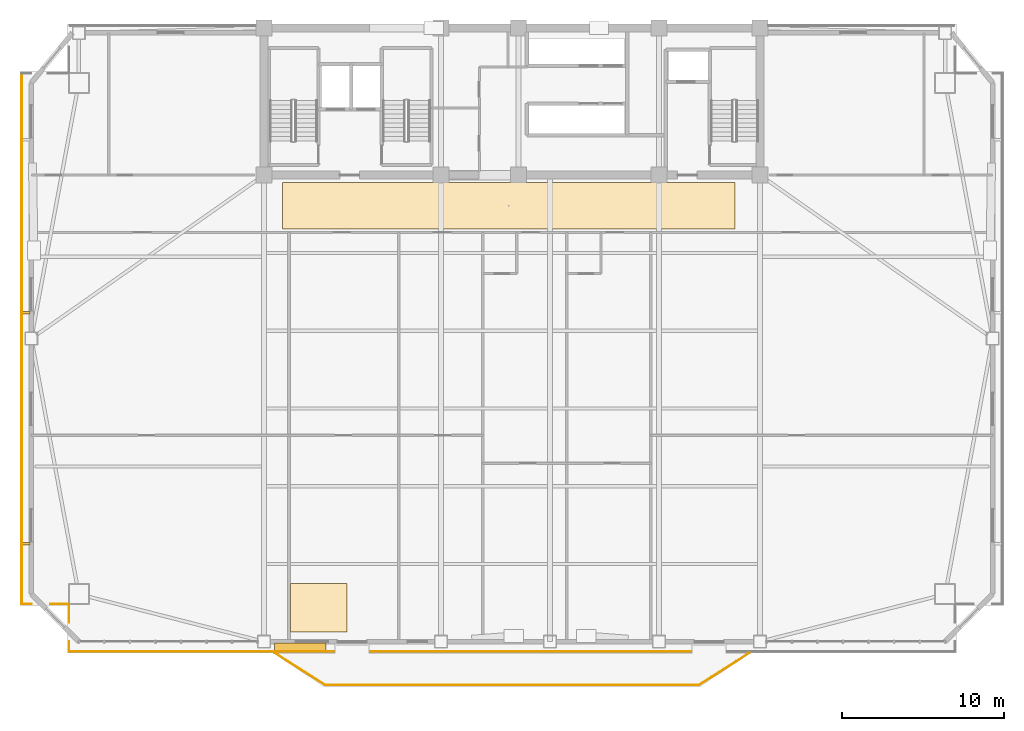
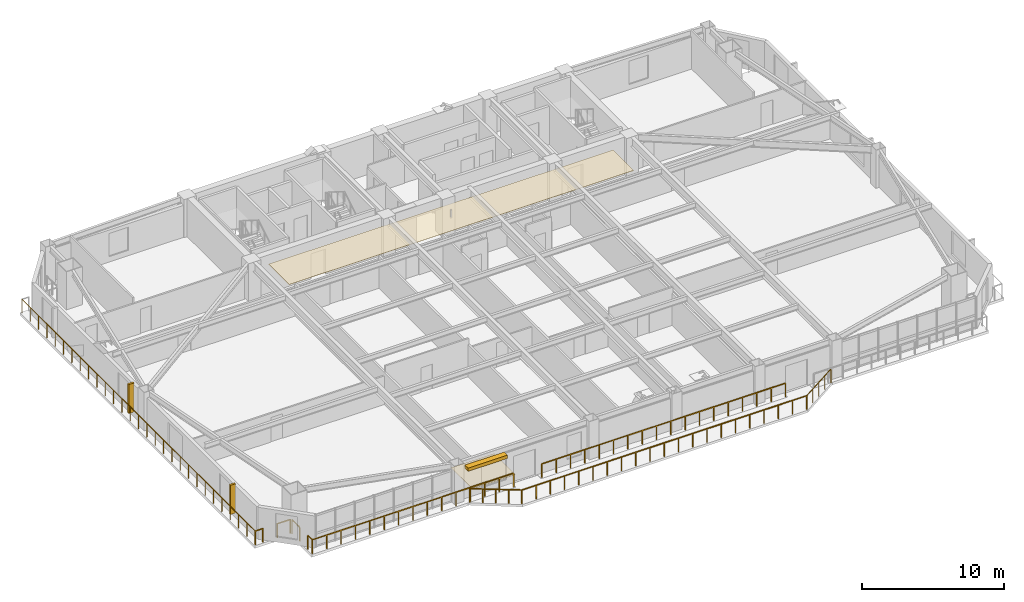
# One storey, part 12 of 15: 10 railings, 3 shading devices, 2 coverings.
"""IFC4 building model written with IfcOpenShell, lengths in metres."""

from ifc_helpers import new_model, si_unit, direction, frame, origin, origin_2d, place, context, subcontext, project, spatial, polyline, rectangle, outline, extrude, source, transform, mapped, material, layer, layer_set, type_object, element, save


model = new_model("IFC4")

# Units and contexts
model_context = context("Model", 3, precision=1e-05, world=origin(), true_north=direction((0.0, 1.0)))
body_context = subcontext(model_context, "Body", "Model", "MODEL_VIEW")
ifc_project = project(units=[si_unit("LENGTHUNIT", "METRE"), si_unit("AREAUNIT", "SQUARE_METRE"), si_unit("VOLUMEUNIT", "CUBIC_METRE"), si_unit("PLANEANGLEUNIT", "RADIAN"), si_unit("MASSUNIT", "GRAM", prefix="KILO")], contexts=[model_context])

# Site, building, storey
site_placement = place(None, origin())
site = spatial("IfcSite", under=ifc_project, at=site_placement, CompositionType="ELEMENT")
building_placement = place(site_placement, origin())
building = spatial("IfcBuilding", under=site, at=building_placement, Name="Giltprow Tower", CompositionType="ELEMENT")
storey_placement = place(building_placement, frame((0.0, 0.0, 152.699951171875)))
storey = spatial("IfcBuildingStorey", under=building, at=storey_placement, Name="L37", CompositionType="ELEMENT", Elevation=152.699951171875)

# Coverings
ifc_material_1 = material(Name="Painted gypsum board", Category="gypsum")
ifc_layer_1 = layer(ifc_material_1, 0.030029296875, Name="Painted gypsum board")
ifc_layer_set_1 = layer_set([ifc_layer_1], Name="Painted gypsum board")
covering_type_1 = type_object("IfcCoveringType", Name="COV-CLG-GYPSUM", PredefinedType="CEILING", material=ifc_layer_set_1)
covering_1_placement = place(storey_placement, frame((0.0, 0.0, 2.6201171875)))
element("IfcCovering", 1, at=covering_1_placement, inside=storey, type_object=covering_type_1, Name="L37 Hotel Corridor Gypsum Ceiling", PredefinedType="CEILING", context=body_context, shape_type="SweptSolid", body=[
    extrude(outline(polyline([(21.0, 34.10009765625), (49.0, 34.10009765625), (49.0, 37.0), (21.0, 37.0), (21.0, 34.10009765625)])), origin(), (0.0, 0.0, 1.0), 0.030029296875),
])
ifc_material_2 = material(Name="Engineered oak", Category="wood")
ifc_layer_2 = layer(ifc_material_2, 0.02490234375, Name="Engineered oak")
ifc_layer_set_2 = layer_set([ifc_layer_2], Name="Engineered oak")
covering_type_2 = type_object("IfcCoveringType", Name="COV-FLR-TIMBER", PredefinedType="FLOORING", material=ifc_layer_set_2)
covering_2_placement = place(storey_placement, origin())
element("IfcCovering", 2, at=covering_2_placement, inside=storey, type_object=covering_type_2, Name="L37 Engineered Oak Guestroom Flooring", PredefinedType="FLOORING", context=body_context, shape_type="SweptSolid", body=[
    extrude(outline(polyline([(21.5, 9.172119140625), (25.0, 9.172119140625), (25.0, 12.172119140625), (21.5, 12.172119140625), (21.5, 9.172119140625)])), origin(), (0.0, 0.0, 1.0), 0.025146484375),
])

# Railings
ifc_material_3 = material(Name="Anodized bronze", Category="metal")
railing_type = type_object("IfcRailingType", Name="RAIL-BALC-GUARD-1200", PredefinedType="BALUSTRADE", material=ifc_material_3)
railing_1_placement = place(storey_placement, frame((20.52001953125, 7.8720703125, 0.0)))
element("IfcRailing", 3, at=railing_1_placement, inside=storey, type_object=railing_type, Name="L37 Waterfront Balcony Balustrade Seg 1", PredefinedType="BALUSTRADE", context=body_context, shape_type="SweptSolid", body=[
    extrude(rectangle(XDim=0.048095703125, YDim=0.048095703125, at=origin_2d()), frame((0.0, 0.0, 1.17578125), z_axis=(0.84277487735, -0.538266203757, 0.0), x_axis=(0.538266203757, 0.84277487735, 0.0)), (0.0, 0.0, 1.0), 3.678466796875),
    extrude(rectangle(XDim=0.0419921875, YDim=0.0419921875, at=origin_2d()), origin(), (0.0, 0.0, 1.0), 1.15185546875),
    extrude(rectangle(XDim=0.0419921875, YDim=0.0419921875, at=origin_2d()), frame((0.77490234375, -0.4951171875, 0.0)), (0.0, 0.0, 1.0), 1.15185546875),
    extrude(rectangle(XDim=0.0419921875, YDim=0.0419921875, at=origin_2d()), frame((1.550048828125, -0.989990234375, 0.0)), (0.0, 0.0, 1.0), 1.15185546875),
    extrude(rectangle(XDim=0.0419921875, YDim=0.0419921875, at=origin_2d()), frame((2.3251953125, -1.48486328125, 0.0)), (0.0, 0.0, 1.0), 1.15185546875),
    extrude(rectangle(XDim=0.0419921875, YDim=0.0419921875, at=origin_2d()), frame((3.10009765625, -1.97998046875, 0.0)), (0.0, 0.0, 1.0), 1.15185546875),
])
railing_2_placement = place(storey_placement, frame((23.6201171875, 5.89208984375, 0.0)))
element("IfcRailing", 4, at=railing_2_placement, inside=storey, type_object=railing_type, Name="L37 Waterfront Balcony Balustrade Seg 2", PredefinedType="BALUSTRADE", context=body_context, shape_type="SweptSolid", body=[
    extrude(rectangle(XDim=0.048095703125, YDim=0.048095703125, at=origin_2d()), frame((0.0, 0.0, 1.17578125), z_axis=(1.0, 0.0, 0.0), x_axis=(0.0, 1.0, 0.0)), (0.0, 0.0, 1.0), 23.159912109375),
    extrude(rectangle(XDim=0.0419921875, YDim=0.0419921875, at=origin_2d()), origin(), (0.0, 0.0, 1.0), 1.15185546875),
    extrude(rectangle(XDim=0.0419921875, YDim=0.0419921875, at=origin_2d()), frame((1.157958984375, 0.0, 0.0)), (0.0, 0.0, 1.0), 1.15185546875),
    extrude(rectangle(XDim=0.0419921875, YDim=0.0419921875, at=origin_2d()), frame((2.31591796875, 0.0, 0.0)), (0.0, 0.0, 1.0), 1.15185546875),
    extrude(rectangle(XDim=0.0419921875, YDim=0.0419921875, at=origin_2d()), frame((3.473876953125, 0.0, 0.0)), (0.0, 0.0, 1.0), 1.15185546875),
    extrude(rectangle(XDim=0.0419921875, YDim=0.0419921875, at=origin_2d()), frame((4.632080078125, 0.0, 0.0)), (0.0, 0.0, 1.0), 1.15185546875),
    extrude(rectangle(XDim=0.0419921875, YDim=0.0419921875, at=origin_2d()), frame((5.7900390625, 0.0, 0.0)), (0.0, 0.0, 1.0), 1.15185546875),
    extrude(rectangle(XDim=0.0419921875, YDim=0.0419921875, at=origin_2d()), frame((6.947998046875, 0.0, 0.0)), (0.0, 0.0, 1.0), 1.15185546875),
    extrude(rectangle(XDim=0.0419921875, YDim=0.0419921875, at=origin_2d()), frame((8.10595703125, 0.0, 0.0)), (0.0, 0.0, 1.0), 1.15185546875),
    extrude(rectangle(XDim=0.0419921875, YDim=0.0419921875, at=origin_2d()), frame((9.263916015625, 0.0, 0.0)), (0.0, 0.0, 1.0), 1.15185546875),
    extrude(rectangle(XDim=0.0419921875, YDim=0.0419921875, at=origin_2d()), frame((10.421875, 0.0, 0.0)), (0.0, 0.0, 1.0), 1.15185546875),
    extrude(rectangle(XDim=0.0419921875, YDim=0.0419921875, at=origin_2d()), frame((11.580078125, 0.0, 0.0)), (0.0, 0.0, 1.0), 1.15185546875),
    extrude(rectangle(XDim=0.0419921875, YDim=0.0419921875, at=origin_2d()), frame((12.738037109375, 0.0, 0.0)), (0.0, 0.0, 1.0), 1.15185546875),
    extrude(rectangle(XDim=0.0419921875, YDim=0.0419921875, at=origin_2d()), frame((13.89599609375, 0.0, 0.0)), (0.0, 0.0, 1.0), 1.15185546875),
    extrude(rectangle(XDim=0.0419921875, YDim=0.0419921875, at=origin_2d()), frame((15.053955078125, 0.0, 0.0)), (0.0, 0.0, 1.0), 1.15185546875),
    extrude(rectangle(XDim=0.0419921875, YDim=0.0419921875, at=origin_2d()), frame((16.2119140625, 0.0, 0.0)), (0.0, 0.0, 1.0), 1.15185546875),
    extrude(rectangle(XDim=0.0419921875, YDim=0.0419921875, at=origin_2d()), frame((17.369873046875, 0.0, 0.0)), (0.0, 0.0, 1.0), 1.15185546875),
    extrude(rectangle(XDim=0.0419921875, YDim=0.0419921875, at=origin_2d()), frame((18.52783203125, 0.0, 0.0)), (0.0, 0.0, 1.0), 1.15185546875),
    extrude(rectangle(XDim=0.0419921875, YDim=0.0419921875, at=origin_2d()), frame((19.68603515625, 0.0, 0.0)), (0.0, 0.0, 1.0), 1.15185546875),
    extrude(rectangle(XDim=0.0419921875, YDim=0.0419921875, at=origin_2d()), frame((20.843994140625, 0.0, 0.0)), (0.0, 0.0, 1.0), 1.15185546875),
    extrude(rectangle(XDim=0.0419921875, YDim=0.0419921875, at=origin_2d()), frame((22.001953125, 0.0, 0.0)), (0.0, 0.0, 1.0), 1.15185546875),
    extrude(rectangle(XDim=0.0419921875, YDim=0.0419921875, at=origin_2d()), frame((23.159912109375, 0.0, 0.0)), (0.0, 0.0, 1.0), 1.15185546875),
])
railing_3_placement = place(storey_placement, frame((46.780029296875, 5.89208984375, 0.0)))
element("IfcRailing", 5, at=railing_3_placement, inside=storey, type_object=railing_type, Name="L37 Waterfront Balcony Balustrade Seg 3", PredefinedType="BALUSTRADE", context=body_context, shape_type="SweptSolid", body=[
    extrude(rectangle(XDim=0.048095703125, YDim=0.048095703125, at=origin_2d()), frame((0.0, 0.0, 1.17578125), z_axis=(0.842755646126, 0.538296313309, 0.0), x_axis=(-0.538296313309, 0.842755646126, 0.0)), (0.0, 0.0, 1.0), 3.67822265625),
    extrude(rectangle(XDim=0.0419921875, YDim=0.0419921875, at=origin_2d()), origin(), (0.0, 0.0, 1.0), 1.15185546875),
    extrude(rectangle(XDim=0.0419921875, YDim=0.0419921875, at=origin_2d()), frame((0.77490234375, 0.4951171875, 0.0)), (0.0, 0.0, 1.0), 1.15185546875),
    extrude(rectangle(XDim=0.0419921875, YDim=0.0419921875, at=origin_2d()), frame((1.5498046875, 0.989990234375, 0.0)), (0.0, 0.0, 1.0), 1.15185546875),
    extrude(rectangle(XDim=0.0419921875, YDim=0.0419921875, at=origin_2d()), frame((2.324951171875, 1.48486328125, 0.0)), (0.0, 0.0, 1.0), 1.15185546875),
    extrude(rectangle(XDim=0.0419921875, YDim=0.0419921875, at=origin_2d()), frame((3.099853515625, 1.97998046875, 0.0)), (0.0, 0.0, 1.0), 1.15185546875),
])
railing_4_placement = place(storey_placement, frame((7.7880859375, 7.971923828125, 0.0)))
element("IfcRailing", 6, at=railing_4_placement, inside=storey, type_object=railing_type, Name="L37 Corner Apron Edge Balustrade 1", PredefinedType="BALUSTRADE", context=body_context, shape_type="SweptSolid", body=[
    extrude(rectangle(XDim=0.048095703125, YDim=0.048095703125, at=origin_2d()), frame((0.0, 0.0, 1.17578125), z_axis=(0.0, 1.0, 0.0), x_axis=(-1.0, 0.0, 0.0)), (0.0, 0.0, 1.0), 0.6201171875),
    extrude(rectangle(XDim=0.0419921875, YDim=0.0419921875, at=origin_2d()), origin(), (0.0, 0.0, 1.0), 1.15185546875),
    extrude(rectangle(XDim=0.0419921875, YDim=0.0419921875, at=origin_2d()), frame((0.0, 0.6201171875, 0.0)), (0.0, 0.0, 1.0), 1.15185546875),
])
railing_5_placement = place(storey_placement, frame((7.7880859375, 9.751953125, 0.0)))
element("IfcRailing", 7, at=railing_5_placement, inside=storey, type_object=railing_type, Name="L37 Corner Apron Edge Balustrade 2", PredefinedType="BALUSTRADE", context=body_context, shape_type="SweptSolid", body=[
    extrude(rectangle(XDim=0.048095703125, YDim=0.048095703125, at=origin_2d()), frame((0.0, 0.0, 1.17578125), z_axis=(0.0, 1.0, 0.0), x_axis=(-1.0, 0.0, 0.0)), (0.0, 0.0, 1.0), 1.073974609375),
    extrude(rectangle(XDim=0.0419921875, YDim=0.0419921875, at=origin_2d()), origin(), (0.0, 0.0, 1.0), 1.15185546875),
    extrude(rectangle(XDim=0.0419921875, YDim=0.0419921875, at=origin_2d()), frame((0.0, 1.073974609375, 0.0)), (0.0, 0.0, 1.0), 1.15185546875),
])
railing_6_placement = place(storey_placement, frame((7.702880859375, 10.910888671875, 0.0)))
element("IfcRailing", 8, at=railing_6_placement, inside=storey, type_object=railing_type, Name="L37 Corner Apron Edge Balustrade 3", PredefinedType="BALUSTRADE", context=body_context, shape_type="SweptSolid", body=[
    extrude(rectangle(XDim=0.048095703125, YDim=0.048095703125, at=origin_2d()), frame((0.0, 0.0, 1.17578125), z_axis=(-1.0, 0.0, 0.0), x_axis=(0.0, -1.0, 0.0)), (0.0, 0.0, 1.0), 1.073974609375),
    extrude(rectangle(XDim=0.0419921875, YDim=0.0419921875, at=origin_2d()), origin(), (0.0, 0.0, 1.0), 1.15185546875),
    extrude(rectangle(XDim=0.0419921875, YDim=0.0419921875, at=origin_2d()), frame((-1.073974609375, 0.0, 0.0)), (0.0, 0.0, 1.0), 1.15185546875),
])
railing_7_placement = place(storey_placement, frame((5.468994140625, 10.910888671875, 0.0)))
element("IfcRailing", 9, at=railing_7_placement, inside=storey, type_object=railing_type, Name="L37 Corner Apron Edge Balustrade 4", PredefinedType="BALUSTRADE", context=body_context, shape_type="SweptSolid", body=[
    extrude(rectangle(XDim=0.048095703125, YDim=0.048095703125, at=origin_2d()), frame((0.0, 0.0, 1.17578125), z_axis=(-1.0, 0.0, 0.0), x_axis=(0.0, -1.0, 0.0)), (0.0, 0.0, 1.0), 0.619873046875),
    extrude(rectangle(XDim=0.0419921875, YDim=0.0419921875, at=origin_2d()), origin(), (0.0, 0.0, 1.0), 1.15185546875),
    extrude(rectangle(XDim=0.0419921875, YDim=0.0419921875, at=origin_2d()), frame((-0.619873046875, 0.0, 0.0)), (0.0, 0.0, 1.0), 1.15185546875),
])
railing_8_placement = place(storey_placement, frame((4.84912109375, 10.910888671875, 0.0)))
element("IfcRailing", 10, at=railing_8_placement, inside=storey, type_object=railing_type, Name="L37 Corner Apron Edge Balustrade 5", PredefinedType="BALUSTRADE", context=body_context, shape_type="SweptSolid", body=[
    extrude(rectangle(XDim=0.048095703125, YDim=0.048095703125, at=origin_2d()), frame((0.0, 0.0, 1.17578125), z_axis=(0.0, 1.0, 0.0), x_axis=(-1.0, 0.0, 0.0)), (0.0, 0.0, 1.0), 32.85009765625),
    extrude(rectangle(XDim=0.0419921875, YDim=0.0419921875, at=origin_2d()), origin(), (0.0, 0.0, 1.0), 1.15185546875),
    extrude(rectangle(XDim=0.0419921875, YDim=0.0419921875, at=origin_2d()), frame((0.0, 1.17333984375, 0.0)), (0.0, 0.0, 1.0), 1.15185546875),
    extrude(rectangle(XDim=0.0419921875, YDim=0.0419921875, at=origin_2d()), frame((0.0, 2.346435546875, 0.0)), (0.0, 0.0, 1.0), 1.15185546875),
    extrude(rectangle(XDim=0.0419921875, YDim=0.0419921875, at=origin_2d()), frame((0.0, 3.51953125, 0.0)), (0.0, 0.0, 1.0), 1.15185546875),
    extrude(rectangle(XDim=0.0419921875, YDim=0.0419921875, at=origin_2d()), frame((0.0, 4.69287109375, 0.0)), (0.0, 0.0, 1.0), 1.15185546875),
    extrude(rectangle(XDim=0.0419921875, YDim=0.0419921875, at=origin_2d()), frame((0.0, 5.8662109375, 0.0)), (0.0, 0.0, 1.0), 1.15185546875),
    extrude(rectangle(XDim=0.0419921875, YDim=0.0419921875, at=origin_2d()), frame((0.0, 7.039306640625, 0.0)), (0.0, 0.0, 1.0), 1.15185546875),
    extrude(rectangle(XDim=0.0419921875, YDim=0.0419921875, at=origin_2d()), frame((0.0, 8.21240234375, 0.0)), (0.0, 0.0, 1.0), 1.15185546875),
    extrude(rectangle(XDim=0.0419921875, YDim=0.0419921875, at=origin_2d()), frame((0.0, 9.3857421875, 0.0)), (0.0, 0.0, 1.0), 1.15185546875),
    extrude(rectangle(XDim=0.0419921875, YDim=0.0419921875, at=origin_2d()), frame((0.0, 10.55908203125, 0.0)), (0.0, 0.0, 1.0), 1.15185546875),
    extrude(rectangle(XDim=0.0419921875, YDim=0.0419921875, at=origin_2d()), frame((0.0, 11.732177734375, 0.0)), (0.0, 0.0, 1.0), 1.15185546875),
    extrude(rectangle(XDim=0.0419921875, YDim=0.0419921875, at=origin_2d()), frame((0.0, 12.9052734375, 0.0)), (0.0, 0.0, 1.0), 1.15185546875),
    extrude(rectangle(XDim=0.0419921875, YDim=0.0419921875, at=origin_2d()), frame((0.0, 14.07861328125, 0.0)), (0.0, 0.0, 1.0), 1.15185546875),
    extrude(rectangle(XDim=0.0419921875, YDim=0.0419921875, at=origin_2d()), frame((0.0, 15.251953125, 0.0)), (0.0, 0.0, 1.0), 1.15185546875),
    extrude(rectangle(XDim=0.0419921875, YDim=0.0419921875, at=origin_2d()), frame((0.0, 16.425048828125, 0.0)), (0.0, 0.0, 1.0), 1.15185546875),
    extrude(rectangle(XDim=0.0419921875, YDim=0.0419921875, at=origin_2d()), frame((0.0, 17.59814453125, 0.0)), (0.0, 0.0, 1.0), 1.15185546875),
    extrude(rectangle(XDim=0.0419921875, YDim=0.0419921875, at=origin_2d()), frame((0.0, 18.771484375, 0.0)), (0.0, 0.0, 1.0), 1.15185546875),
    extrude(rectangle(XDim=0.0419921875, YDim=0.0419921875, at=origin_2d()), frame((0.0, 19.94482421875, 0.0)), (0.0, 0.0, 1.0), 1.15185546875),
    extrude(rectangle(XDim=0.0419921875, YDim=0.0419921875, at=origin_2d()), frame((0.0, 21.117919921875, 0.0)), (0.0, 0.0, 1.0), 1.15185546875),
    extrude(rectangle(XDim=0.0419921875, YDim=0.0419921875, at=origin_2d()), frame((0.0, 22.291015625, 0.0)), (0.0, 0.0, 1.0), 1.15185546875),
    extrude(rectangle(XDim=0.0419921875, YDim=0.0419921875, at=origin_2d()), frame((0.0, 23.46435546875, 0.0)), (0.0, 0.0, 1.0), 1.15185546875),
    extrude(rectangle(XDim=0.0419921875, YDim=0.0419921875, at=origin_2d()), frame((0.0, 24.6376953125, 0.0)), (0.0, 0.0, 1.0), 1.15185546875),
    extrude(rectangle(XDim=0.0419921875, YDim=0.0419921875, at=origin_2d()), frame((0.0, 25.810791015625, 0.0)), (0.0, 0.0, 1.0), 1.15185546875),
    extrude(rectangle(XDim=0.0419921875, YDim=0.0419921875, at=origin_2d()), frame((0.0, 26.98388671875, 0.0)), (0.0, 0.0, 1.0), 1.15185546875),
    extrude(rectangle(XDim=0.0419921875, YDim=0.0419921875, at=origin_2d()), frame((0.0, 28.1572265625, 0.0)), (0.0, 0.0, 1.0), 1.15185546875),
    extrude(rectangle(XDim=0.0419921875, YDim=0.0419921875, at=origin_2d()), frame((0.0, 29.33056640625, 0.0)), (0.0, 0.0, 1.0), 1.15185546875),
    extrude(rectangle(XDim=0.0419921875, YDim=0.0419921875, at=origin_2d()), frame((0.0, 30.503662109375, 0.0)), (0.0, 0.0, 1.0), 1.15185546875),
    extrude(rectangle(XDim=0.0419921875, YDim=0.0419921875, at=origin_2d()), frame((0.0, 31.6767578125, 0.0)), (0.0, 0.0, 1.0), 1.15185546875),
    extrude(rectangle(XDim=0.0419921875, YDim=0.0419921875, at=origin_2d()), frame((0.0, 32.85009765625, 0.0)), (0.0, 0.0, 1.0), 1.15185546875),
])
railing_9_placement = place(storey_placement, frame((46.25, 7.971923828125, 0.0)))
element("IfcRailing", 11, at=railing_9_placement, inside=storey, type_object=railing_type, Name="L37 Corner Apron Edge Balustrade 20", PredefinedType="BALUSTRADE", context=body_context, shape_type="SweptSolid", body=[
    extrude(rectangle(XDim=0.048095703125, YDim=0.048095703125, at=origin_2d()), frame((0.0, 0.0, 1.17578125), z_axis=(-1.0, 0.0, 0.0), x_axis=(0.0, -1.0, 0.0)), (0.0, 0.0, 1.0), 19.800048828125),
    extrude(rectangle(XDim=0.0419921875, YDim=0.0419921875, at=origin_2d()), origin(), (0.0, 0.0, 1.0), 1.15185546875),
    extrude(rectangle(XDim=0.0419921875, YDim=0.0419921875, at=origin_2d()), frame((-1.164794921875, 0.0, 0.0)), (0.0, 0.0, 1.0), 1.15185546875),
    extrude(rectangle(XDim=0.0419921875, YDim=0.0419921875, at=origin_2d()), frame((-2.329345703125, 0.0, 0.0)), (0.0, 0.0, 1.0), 1.15185546875),
    extrude(rectangle(XDim=0.0419921875, YDim=0.0419921875, at=origin_2d()), frame((-3.494140625, 0.0, 0.0)), (0.0, 0.0, 1.0), 1.15185546875),
    extrude(rectangle(XDim=0.0419921875, YDim=0.0419921875, at=origin_2d()), frame((-4.658935546875, 0.0, 0.0)), (0.0, 0.0, 1.0), 1.15185546875),
    extrude(rectangle(XDim=0.0419921875, YDim=0.0419921875, at=origin_2d()), frame((-5.823486328125, 0.0, 0.0)), (0.0, 0.0, 1.0), 1.15185546875),
    extrude(rectangle(XDim=0.0419921875, YDim=0.0419921875, at=origin_2d()), frame((-6.98828125, 0.0, 0.0)), (0.0, 0.0, 1.0), 1.15185546875),
    extrude(rectangle(XDim=0.0419921875, YDim=0.0419921875, at=origin_2d()), frame((-8.153076171875, 0.0, 0.0)), (0.0, 0.0, 1.0), 1.15185546875),
    extrude(rectangle(XDim=0.0419921875, YDim=0.0419921875, at=origin_2d()), frame((-9.317626953125, 0.0, 0.0)), (0.0, 0.0, 1.0), 1.15185546875),
    extrude(rectangle(XDim=0.0419921875, YDim=0.0419921875, at=origin_2d()), frame((-10.482421875, 0.0, 0.0)), (0.0, 0.0, 1.0), 1.15185546875),
    extrude(rectangle(XDim=0.0419921875, YDim=0.0419921875, at=origin_2d()), frame((-11.64697265625, 0.0, 0.0)), (0.0, 0.0, 1.0), 1.15185546875),
    extrude(rectangle(XDim=0.0419921875, YDim=0.0419921875, at=origin_2d()), frame((-12.811767578125, 0.0, 0.0)), (0.0, 0.0, 1.0), 1.15185546875),
    extrude(rectangle(XDim=0.0419921875, YDim=0.0419921875, at=origin_2d()), frame((-13.9765625, 0.0, 0.0)), (0.0, 0.0, 1.0), 1.15185546875),
    extrude(rectangle(XDim=0.0419921875, YDim=0.0419921875, at=origin_2d()), frame((-15.14111328125, 0.0, 0.0)), (0.0, 0.0, 1.0), 1.15185546875),
    extrude(rectangle(XDim=0.0419921875, YDim=0.0419921875, at=origin_2d()), frame((-16.305908203125, 0.0, 0.0)), (0.0, 0.0, 1.0), 1.15185546875),
    extrude(rectangle(XDim=0.0419921875, YDim=0.0419921875, at=origin_2d()), frame((-17.470703125, 0.0, 0.0)), (0.0, 0.0, 1.0), 1.15185546875),
    extrude(rectangle(XDim=0.0419921875, YDim=0.0419921875, at=origin_2d()), frame((-18.63525390625, 0.0, 0.0)), (0.0, 0.0, 1.0), 1.15185546875),
    extrude(rectangle(XDim=0.0419921875, YDim=0.0419921875, at=origin_2d()), frame((-19.800048828125, 0.0, 0.0)), (0.0, 0.0, 1.0), 1.15185546875),
])
railing_10_placement = place(storey_placement, frame((24.14990234375, 7.971923828125, 0.0)))
element("IfcRailing", 12, at=railing_10_placement, inside=storey, type_object=railing_type, Name="L37 Corner Apron Edge Balustrade 21", PredefinedType="BALUSTRADE", context=body_context, shape_type="SweptSolid", body=[
    extrude(rectangle(XDim=0.048095703125, YDim=0.048095703125, at=origin_2d()), frame((0.0, 0.0, 1.17578125), z_axis=(-1.0, 0.0, 0.0), x_axis=(0.0, -1.0, 0.0)), (0.0, 0.0, 1.0), 16.36181640625),
    extrude(rectangle(XDim=0.0419921875, YDim=0.0419921875, at=origin_2d()), origin(), (0.0, 0.0, 1.0), 1.15185546875),
    extrude(rectangle(XDim=0.0419921875, YDim=0.0419921875, at=origin_2d()), frame((-1.168701171875, 0.0, 0.0)), (0.0, 0.0, 1.0), 1.15185546875),
    extrude(rectangle(XDim=0.0419921875, YDim=0.0419921875, at=origin_2d()), frame((-2.33740234375, 0.0, 0.0)), (0.0, 0.0, 1.0), 1.15185546875),
    extrude(rectangle(XDim=0.0419921875, YDim=0.0419921875, at=origin_2d()), frame((-3.506103515625, 0.0, 0.0)), (0.0, 0.0, 1.0), 1.15185546875),
    extrude(rectangle(XDim=0.0419921875, YDim=0.0419921875, at=origin_2d()), frame((-4.6748046875, 0.0, 0.0)), (0.0, 0.0, 1.0), 1.15185546875),
    extrude(rectangle(XDim=0.0419921875, YDim=0.0419921875, at=origin_2d()), frame((-5.843505859375, 0.0, 0.0)), (0.0, 0.0, 1.0), 1.15185546875),
    extrude(rectangle(XDim=0.0419921875, YDim=0.0419921875, at=origin_2d()), frame((-7.01220703125, 0.0, 0.0)), (0.0, 0.0, 1.0), 1.15185546875),
    extrude(rectangle(XDim=0.0419921875, YDim=0.0419921875, at=origin_2d()), frame((-8.180908203125, 0.0, 0.0)), (0.0, 0.0, 1.0), 1.15185546875),
    extrude(rectangle(XDim=0.0419921875, YDim=0.0419921875, at=origin_2d()), frame((-9.349609375, 0.0, 0.0)), (0.0, 0.0, 1.0), 1.15185546875),
    extrude(rectangle(XDim=0.0419921875, YDim=0.0419921875, at=origin_2d()), frame((-10.518310546875, 0.0, 0.0)), (0.0, 0.0, 1.0), 1.15185546875),
    extrude(rectangle(XDim=0.0419921875, YDim=0.0419921875, at=origin_2d()), frame((-11.68701171875, 0.0, 0.0)), (0.0, 0.0, 1.0), 1.15185546875),
    extrude(rectangle(XDim=0.0419921875, YDim=0.0419921875, at=origin_2d()), frame((-12.855712890625, 0.0, 0.0)), (0.0, 0.0, 1.0), 1.15185546875),
    extrude(rectangle(XDim=0.0419921875, YDim=0.0419921875, at=origin_2d()), frame((-14.0244140625, 0.0, 0.0)), (0.0, 0.0, 1.0), 1.15185546875),
    extrude(rectangle(XDim=0.0419921875, YDim=0.0419921875, at=origin_2d()), frame((-15.193115234375, 0.0, 0.0)), (0.0, 0.0, 1.0), 1.15185546875),
    extrude(rectangle(XDim=0.0419921875, YDim=0.0419921875, at=origin_2d()), frame((-16.36181640625, 0.0, 0.0)), (0.0, 0.0, 1.0), 1.15185546875),
])

# Shading devices
shading_device_type_1 = type_object("IfcShadingDeviceType", Name="SHD-FIN-420", PredefinedType="USERDEFINED", material=ifc_material_3)
shared_shape_1 = source(origin(), body_context, "Body", "SweptSolid", [
    extrude(rectangle(XDim=0.419921875, YDim=0.159912109375, at=origin_2d()), origin(), (0.0, 0.0, 1.0), 2.5),
])
for number, where, z_axis, x_axis, name in (
    (13, (5.14892578125, 14.64208984375, 0.35009765625), (0.0, 0.0, 1.0), (1.0, 0.0, 0.0), "L37 W Bronze Vertical Fin 1-1"),
    (14, (5.14892578125, 28.94091796875, 0.35009765625), (0.0, 0.0, 1.0), (1.0, 0.0, 0.0), "L37 W Bronze Vertical Fin 2-1"),
):
    element("IfcShadingDevice", number, at=place(storey_placement, frame(where, z_axis=z_axis, x_axis=x_axis)), inside=storey, type_object=shading_device_type_1, Name=name, ObjectType="FIN", PredefinedType="USERDEFINED", context=body_context, shape_type="MappedRepresentation", body=[
        mapped(shared_shape_1, transform((0.0, 0.0, 0.0), x_axis=(1.0, 0.0, 0.0), y_axis=(0.0, 1.0, 0.0), z_axis=(0.0, 0.0, 1.0), scale=1.0)),
    ])
shading_device_type_2 = type_object("IfcShadingDeviceType", Name="SHD-LOUVRE-320", PredefinedType="JALOUSIE", material=ifc_material_3)
shared_shape_2 = source(origin(), body_context, "Body", "SweptSolid", [
    extrude(rectangle(XDim=3.199951171875, YDim=0.449951171875, at=origin_2d()), origin(), (0.0, 0.0, 1.0), 0.280029296875),
])
shading_device_placement = place(storey_placement, frame((22.10009765625, 8.27197265625, 2.56005859375), z_axis=(0.0, 0.0, 1.0), x_axis=(1.0, 0.0, 0.0)))
element("IfcShadingDevice", 15, at=shading_device_placement, inside=storey, type_object=shading_device_type_2, Name="L37 Bronze Sunshade Louvre S-2", PredefinedType="JALOUSIE", context=body_context, shape_type="MappedRepresentation", body=[
    mapped(shared_shape_2, transform((0.0, 0.0, 0.0), x_axis=(1.0, 0.0, 0.0), y_axis=(0.0, 1.0, 0.0), z_axis=(0.0, 0.0, 1.0), scale=1.0)),
])

save(model, "model.ifc")
